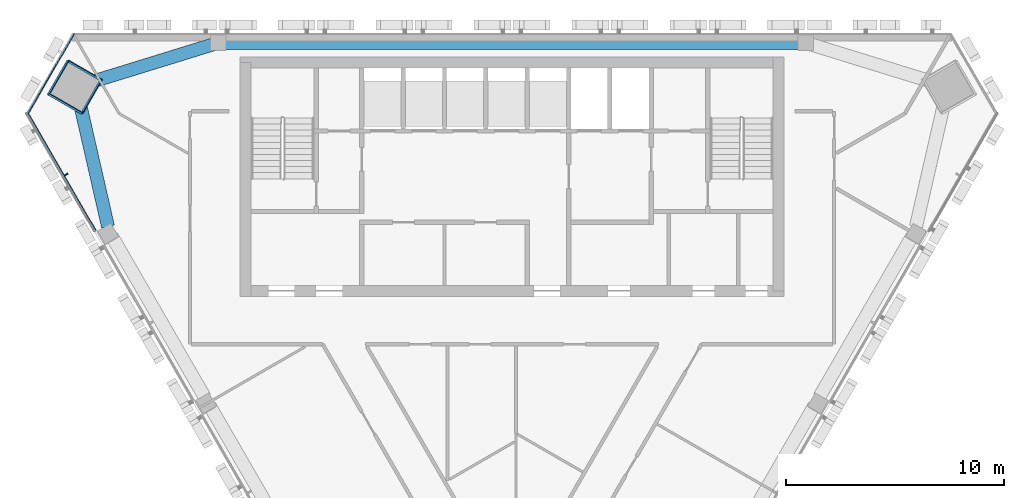
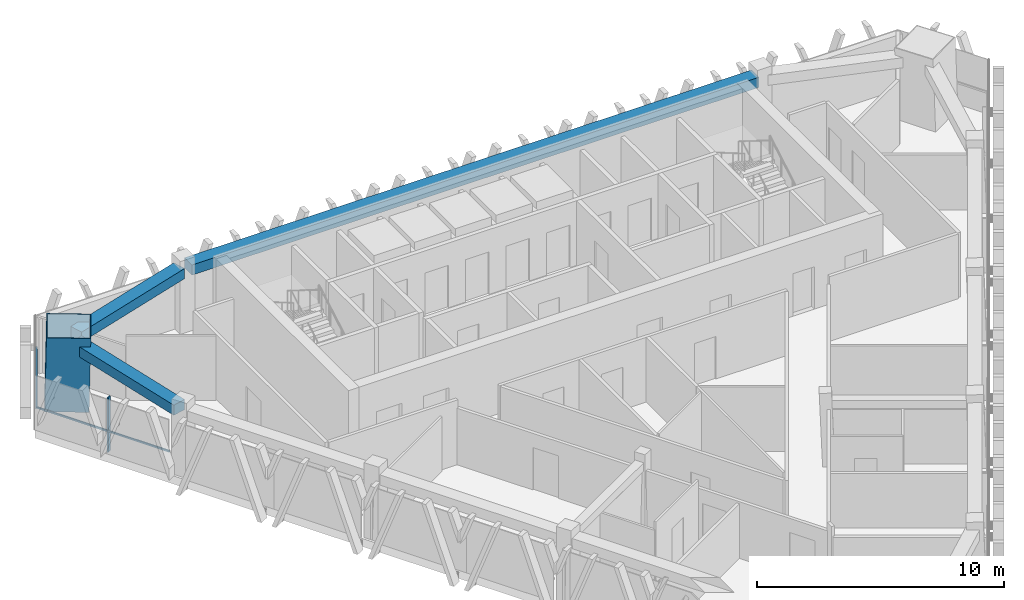
# One storey, part 5 of 14: 4 members, 3 beams, 2 elements without a shape of their own.
"""IFC4 building model written with IfcOpenShell, lengths in metres."""

from ifc_helpers import new_model, si_unit, direction, frame, origin, origin_2d, place, context, subcontext, project, spatial, rectangle, hollow_rectangle, extrude, material, layer, layer_set, material_profile, profile_set, type_object, element, aggregate, save


model = new_model("IFC4")

# Units and contexts
model_context = context("Model", 3, precision=1e-05, world=origin(), true_north=direction((0.0, 1.0)))
body_context = subcontext(model_context, "Body", "Model", "MODEL_VIEW")
ifc_project = project(units=[si_unit("LENGTHUNIT", "METRE"), si_unit("AREAUNIT", "SQUARE_METRE"), si_unit("VOLUMEUNIT", "CUBIC_METRE"), si_unit("PLANEANGLEUNIT", "RADIAN"), si_unit("MASSUNIT", "GRAM", prefix="KILO")], contexts=[model_context])

# Site, building, storey
site_placement = place(None, origin())
site = spatial("IfcSite", under=ifc_project, at=site_placement, CompositionType="ELEMENT")
building_placement = place(site_placement, origin())
building = spatial("IfcBuilding", under=site, at=building_placement, Name="Altiplano Prism Tower", CompositionType="ELEMENT")
storey_placement = place(building_placement, frame((0.0, 0.0, 295.0)))
storey = spatial("IfcBuildingStorey", under=building, at=storey_placement, Name="L76", CompositionType="ELEMENT", Elevation=295.0)

# Curtain wall, member
ifc_material_1 = material(Name="Aluminium and glass", Category="aluminium")
ifc_layer = layer(ifc_material_1, 0.280029296875)
ifc_layer_set = layer_set([ifc_layer], Name="Aluminium and glass")
curtain_wall_type = type_object("IfcCurtainWallType", Name="CW1 typical co-living unitised curtain wall", PredefinedType="NOTDEFINED", material=ifc_layer_set)
curtain_wall_1_placement = place(storey_placement, origin())
curtain_wall_1 = element("IfcCurtainWall", 1, at=curtain_wall_1_placement, inside=storey, type_object=curtain_wall_type, Name="CW1 curtain wall south-west face L76", PredefinedType="NOTDEFINED")
ifc_material_2 = material(Name="Aluminium", Category="aluminium")
ifc_material_profile_1 = material_profile(ifc_material_2, rectangle(XDim=0.179931640625, YDim=0.06494140625, at=origin_2d()), Name="CW1 mullion 65 x 180")
ifc_profile_set_1 = profile_set([ifc_material_profile_1], Name="Aluminium")
member_type_1 = type_object("IfcMemberType", Name="CW1 mullion 65 x 180", PredefinedType="MULLION", material=ifc_profile_set_1)
member_1_placement = place(storey_placement, frame((64.509521484375, 98.498779296875, 0.0), z_axis=(0.0, 0.0, 1.0), x_axis=(0.866025409195, 0.499999990629, 0.0)))
member_1 = element("IfcMember", 2, at=member_1_placement, type_object=member_type_1, Name="CW1 mullion", PredefinedType="MULLION", context=body_context, shape_type="SweptSolid", body=[
    extrude(rectangle(XDim=0.179931640625, YDim=0.06494140625, at=origin_2d()), origin(), (0.0, 0.0, 1.0), 2.699951171875),
])

curtain_wall_2_placement = place(storey_placement, origin())
curtain_wall_2 = element("IfcCurtainWall", 3, at=curtain_wall_2_placement, inside=storey, type_object=curtain_wall_type, Name="CW1 curtain wall north-west chamfer L76", PredefinedType="NOTDEFINED")
ifc_material_profile_2 = material_profile(ifc_material_2, rectangle(XDim=0.06005859375, YDim=0.080078125, at=origin_2d()), Name="CW1 transom 80 x 60")
ifc_profile_set_2 = profile_set([ifc_material_profile_2], Name="Aluminium")
member_type_2 = type_object("IfcMemberType", Name="CW1 transom 80 x 60", PredefinedType="USERDEFINED", material=ifc_profile_set_2)
member_2_placement = place(storey_placement, frame((64.8671875, 104.965087890625, 1.10009765625), z_axis=(-0.499994660107, -0.866028486751, 0.0), x_axis=(0.866028486751, -0.499994660107, 0.0)))
member_2 = element("IfcMember", 4, at=member_2_placement, type_object=member_type_2, Name="CW1 transom", ObjectType="TRANSOM", PredefinedType="USERDEFINED", context=body_context, shape_type="SweptSolid", body=[
    extrude(rectangle(XDim=0.06005859375, YDim=0.080078125, at=origin_2d()), origin(), (0.0, 0.0, 1.0), 4.27001953125),
])
aggregate(curtain_wall_2, [member_2])

# Member
member_3_placement = place(storey_placement, frame((62.732177734375, 101.337158203125, 1.10009765625), z_axis=(0.499978865881, -0.86603760523, 0.0), x_axis=(0.86603760523, 0.499978865881, 0.0)))
member_3 = element("IfcMember", 5, at=member_3_placement, type_object=member_type_2, Name="CW1 transom", ObjectType="TRANSOM", PredefinedType="USERDEFINED", context=body_context, shape_type="SweptSolid", body=[
    extrude(rectangle(XDim=0.06005859375, YDim=0.080078125, at=origin_2d()), origin(), (0.0, 0.0, 1.0), 6.263916015625),
])

aggregate(curtain_wall_1, [member_1, member_3])

# Beams
ifc_material_3 = material(Name="Concrete C60/75", Category="concrete")
ifc_material_profile_3 = material_profile(ifc_material_3, rectangle(XDim=0.60009765625, YDim=0.5, at=origin_2d()), Name="Edge beam 600x500")
ifc_profile_set_3 = profile_set([ifc_material_profile_3], Name="Concrete C60/75")
beam_type = type_object("IfcBeamType", Name="Edge beam 600x500", PredefinedType="SPANDREL", material=ifc_profile_set_3)
beam_placement = place(storey_placement, frame((98.27001953125, 104.550048828125, 2.949951171875), z_axis=(-1.0, 0.0, 0.0), x_axis=(0.0, -1.0, 0.0)))
element("IfcBeam", 6, at=beam_placement, inside=storey, type_object=beam_type, Name="Edge beam P01-P04 L77", PredefinedType="SPANDREL", context=body_context, shape_type="SweptSolid", body=[
    extrude(rectangle(XDim=0.60009765625, YDim=0.5, at=origin_2d()), origin(), (0.0, 0.0, 1.0), 26.5400390625),
])
for number, where, z_axis, x_axis, name in (
    (7, (71.2646484375, 104.477294921875, 2.949951171875), (-0.955556087138, -0.294809369482, 0.0), (0.294809369482, -0.955556087138, 0.0), "Edge beam P04-M0 L77"),
    (8, (65.067138671875, 102.095703125, 2.949951171875), (0.222445865575, -0.974945043009, 0.0), (0.974945043009, 0.222445865575, 0.0), "Edge beam M0-P11 L77"),
):
    element("IfcBeam", number, at=place(storey_placement, frame(where, z_axis=z_axis, x_axis=x_axis)), inside=storey, type_object=beam_type, Name=name, PredefinedType="SPANDREL", context=body_context, shape_type="SweptSolid", body=[
        extrude(rectangle(XDim=0.60009765625, YDim=0.5, at=origin_2d()), origin(), (0.0, 0.0, 1.0), 6.140625),
    ])

# Member
ifc_material_4 = material(Name="Steel S460", Category="steel")
ifc_material_profile_4 = material_profile(ifc_material_4, hollow_rectangle(XDim=1.800048828125, YDim=1.800048828125, WallThickness=0.0400390625, at=origin_2d()), Name="Mega column tube 1800")
ifc_profile_set_4 = profile_set([ifc_material_profile_4], Name="Steel S460")
member_type_3 = type_object("IfcMemberType", Name="Mega column tube 1800", PredefinedType="POST", material=ifc_profile_set_4)
member_4_placement = place(storey_placement, frame((64.86474609375, 102.5009765625, 0.0), z_axis=(0.028401796786, 0.009286506348, 0.999553449666), x_axis=(-0.866199007742, 0.499299837016, 0.019973776385)))
element("IfcMember", 9, at=member_4_placement, inside=storey, type_object=member_type_3, Name="Mega column tube M0 L76", PredefinedType="POST", context=body_context, shape_type="SweptSolid", body=[
    extrude(hollow_rectangle(XDim=1.800048828125, YDim=1.800048828125, WallThickness=0.0400390625, at=origin_2d()), origin(), (0.0, 0.0, 1.0), 3.601806640625),
])

save(model, "model.ifc")
